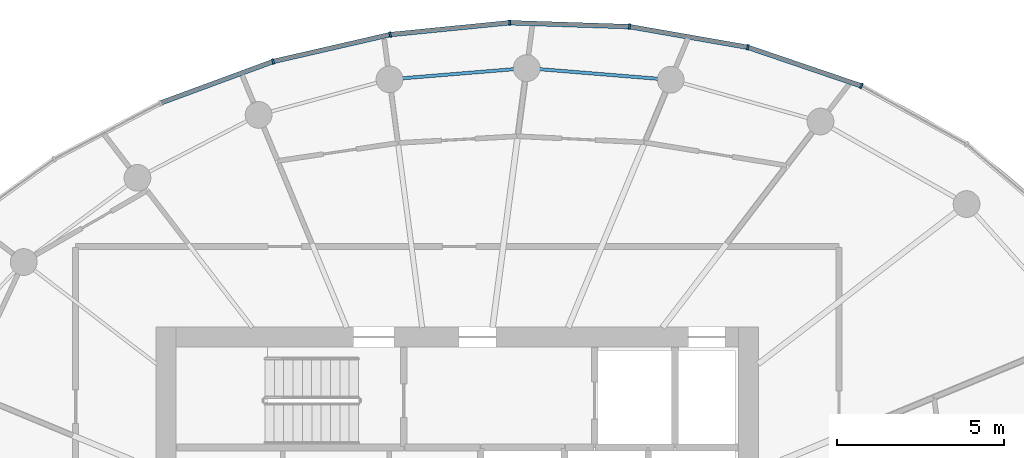
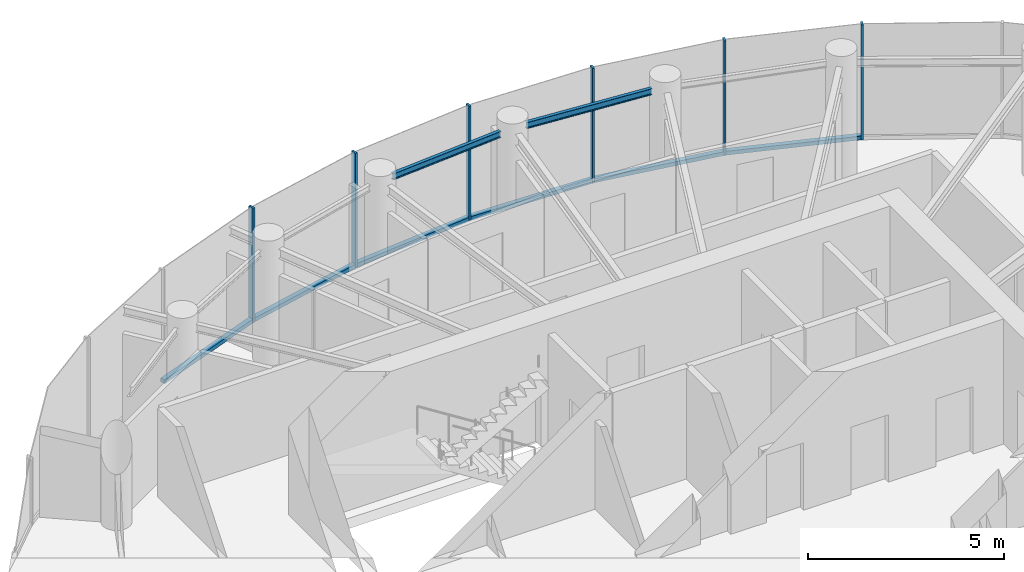
# One storey, part 6 of 13: 12 members, 2 beams, 2 elements without a shape of their own.
"""IFC4 building model written with IfcOpenShell, lengths in metres."""

from ifc_helpers import new_model, si_unit, direction, frame, origin, origin_2d, place, context, subcontext, project, spatial, rectangle, i_section, extrude, source, transform, mapped, material, layer, layer_set, material_profile, profile_set, type_object, element, aggregate, save


model = new_model("IFC4")

# Units and contexts
model_context = context("Model", 3, precision=1e-05, world=origin(), true_north=direction((0.0, 1.0)))
body_context = subcontext(model_context, "Body", "Model", "MODEL_VIEW")
ifc_project = project(units=[si_unit("LENGTHUNIT", "METRE"), si_unit("AREAUNIT", "SQUARE_METRE"), si_unit("VOLUMEUNIT", "CUBIC_METRE"), si_unit("PLANEANGLEUNIT", "RADIAN"), si_unit("MASSUNIT", "GRAM", prefix="KILO")], contexts=[model_context])

# Site, building, storey
site_placement = place(None, origin())
site = spatial("IfcSite", under=ifc_project, at=site_placement, CompositionType="ELEMENT")
building_placement = place(site_placement, origin())
building = spatial("IfcBuilding", under=site, at=building_placement, Name="Spindrift Exchange Tower", CompositionType="ELEMENT")
storey_placement = place(building_placement, frame((0.0, 0.0, 261.800048828125)))
storey = spatial("IfcBuildingStorey", under=building, at=storey_placement, Name="L64", CompositionType="ELEMENT", Elevation=261.800048828125)

# Beams
ifc_material_1 = material(Name="Steel Grade 300", Category="steel")
ifc_material_profile_1 = material_profile(ifc_material_1, i_section(OverallWidth=0.09912109375, OverallDepth=0.197998046875, WebThickness=0.00439453125, FlangeThickness=0.007080078125, FilletRadius=0.010986328125, at=origin_2d()), Name="200UB18.2")
ifc_profile_set_1 = profile_set([ifc_material_profile_1], Name="Steel Grade 300")
beam_type = type_object("IfcBeamType", Name="Edge Beam 200UB18.2 Steel Grade 300", PredefinedType="SPANDREL", material=ifc_profile_set_1)
shared_shape_1 = source(origin(), body_context, "Body", "SweptSolid", [
    extrude(i_section(OverallWidth=0.09912109375, OverallDepth=0.197998046875, WebThickness=0.00439453125, FlangeThickness=0.007080078125, FilletRadius=0.010986328125, at=origin_2d()), origin(), (0.0, 0.0, 1.0), 3.5546875),
])
beam_1_placement = place(storey_placement, frame((57.992919921875, 63.413330078125, 3.48095703125), z_axis=(-0.996727103969, 0.080839842983, 0.0), x_axis=(-0.080839842983, -0.996727103969, 0.0)))
element("IfcBeam", 1, at=beam_1_placement, inside=storey, type_object=beam_type, Name="L64 edge beam E05", PredefinedType="SPANDREL", context=body_context, shape_type="MappedRepresentation", body=[
    mapped(shared_shape_1, transform((0.0, 0.0, 0.0), scale=1.0)),
])
shared_shape_2 = source(origin(), body_context, "Body", "SweptSolid", [
    extrude(i_section(OverallWidth=0.09912109375, OverallDepth=0.197998046875, WebThickness=0.00439453125, FlangeThickness=0.007080078125, FilletRadius=0.010986328125, at=origin_2d()), origin(), (0.0, 0.0, 1.0), 3.351806640625),
])
beam_2_placement = place(storey_placement, frame((53.6923828125, 63.7001953125, 3.48095703125), z_axis=(-0.996672670999, -0.081508201334, 0.0), x_axis=(0.081508201334, -0.996672670999, 0.0)))
element("IfcBeam", 2, at=beam_2_placement, inside=storey, type_object=beam_type, Name="L64 edge beam E06", PredefinedType="SPANDREL", context=body_context, shape_type="MappedRepresentation", body=[
    mapped(shared_shape_2, transform((0.0, 0.0, 0.0), scale=1.0)),
])

# Curtain wall, member
ifc_material_2 = material(Name="Fritted laminated glass with bronze frame", Category="glass")
ifc_layer = layer(ifc_material_2, 0.159912109375)
ifc_layer_set = layer_set([ifc_layer], Name="ZONE 5 BRONZE FRITTED WALL")
curtain_wall_type = type_object("IfcCurtainWallType", Name="ZONE 5 BRONZE FRITTED WALL", PredefinedType="NOTDEFINED", material=ifc_layer_set)
curtain_wall_1_placement = place(storey_placement, origin())
curtain_wall_1 = element("IfcCurtainWall", 3, at=curtain_wall_1_placement, inside=storey, type_object=curtain_wall_type, Name="L64 Zone 5 Bronze Fritted Wall run 2", PredefinedType="NOTDEFINED")
ifc_material_3 = material(Name="Bronze anodised aluminium", Category="aluminium")
ifc_material_profile_2 = material_profile(ifc_material_3, rectangle(XDim=0.139892578125, YDim=0.1201171875, at=origin_2d()), Name="ZONE 5 BRONZE FRITTED WALL TRANSOM 140X120")
ifc_profile_set_2 = profile_set([ifc_material_profile_2], Name="Bronze anodised aluminium")
member_type_1 = type_object("IfcMemberType", Name="ZONE 5 BRONZE FRITTED WALL TRANSOM 140X120", PredefinedType="USERDEFINED", material=ifc_profile_set_2)
shared_shape_3 = source(origin(), body_context, "Body", "SweptSolid", [
    extrude(rectangle(XDim=0.139892578125, YDim=0.1201171875, at=origin_2d()), origin(), (0.0, 0.0, 1.0), 3.5263671875),
])
member_1_placement = place(storey_placement, frame((53.529541015625, 65.0849609375, 0.06005859375), z_axis=(-0.995114349621, -0.098729079702, 0.0), x_axis=(0.098729079702, -0.995114349621, 0.0)))
member_1 = element("IfcMember", 4, at=member_1_placement, type_object=member_type_1, Name="L64 transom CW-5.8", ObjectType="TRANSOM", PredefinedType="USERDEFINED", context=body_context, shape_type="MappedRepresentation", body=[
    mapped(shared_shape_3, transform((0.0, 0.0, 0.0), scale=1.0)),
])

curtain_wall_2_placement = place(storey_placement, origin())
curtain_wall_2 = element("IfcCurtainWall", 5, at=curtain_wall_2_placement, inside=storey, type_object=curtain_wall_type, Name="L64 Zone 5 Bronze Fritted Wall run 1", PredefinedType="NOTDEFINED")
shared_shape_4 = source(origin(), body_context, "Body", "SweptSolid", [
    extrude(rectangle(XDim=0.139892578125, YDim=0.1201171875, at=origin_2d()), origin(), (0.0, 0.0, 1.0), 3.524658203125),
])
member_2_placement = place(storey_placement, frame((64.040771484375, 63.20947265625, 0.06005859375), z_axis=(-0.946711931826, 0.322081539581, 0.0), x_axis=(-0.322081539581, -0.946711931826, 0.0)))
member_2 = element("IfcMember", 6, at=member_2_placement, type_object=member_type_1, Name="L64 transom CW-5.5", ObjectType="TRANSOM", PredefinedType="USERDEFINED", context=body_context, shape_type="MappedRepresentation", body=[
    mapped(shared_shape_4, transform((0.0, 0.0, 0.0), scale=1.0)),
])

# Member
shared_shape_5 = source(origin(), body_context, "Body", "SweptSolid", [
    extrude(rectangle(XDim=0.139892578125, YDim=0.1201171875, at=origin_2d()), origin(), (0.0, 0.0, 1.0), 3.526123046875),
])
member_3_placement = place(storey_placement, frame((57.113525390625, 64.972412109375, 0.06005859375), z_axis=(-0.999472602049, 0.032473339131, 0.0), x_axis=(-0.032473339131, -0.999472602049, 0.0)))
member_3 = element("IfcMember", 7, at=member_3_placement, type_object=member_type_1, Name="L64 transom CW-5.7", ObjectType="TRANSOM", PredefinedType="USERDEFINED", context=body_context, shape_type="MappedRepresentation", body=[
    mapped(shared_shape_5, transform((0.0, 0.0, 0.0), scale=1.0)),
])

member_4_placement = place(storey_placement, frame((46.46728515625, 63.91943359375, 0.06005859375), z_axis=(-0.938241414891, -0.34598128184, 0.0), x_axis=(0.34598128184, -0.938241414891, 0.0)))
member_4 = element("IfcMember", 8, at=member_4_placement, type_object=member_type_1, Name="L64 transom CW-5.10", ObjectType="TRANSOM", PredefinedType="USERDEFINED", context=body_context, shape_type="MappedRepresentation", body=[
    mapped(shared_shape_5, transform((0.0, 0.0, 0.0), scale=1.0)),
])

shared_shape_6 = source(origin(), body_context, "Body", "SweptSolid", [
    extrude(rectangle(XDim=0.139892578125, YDim=0.1201171875, at=origin_2d()), origin(), (0.0, 0.0, 1.0), 3.525634765625),
])
member_5_placement = place(storey_placement, frame((60.64599609375, 64.359619140625, 0.06005859375), z_axis=(-0.985083917921, 0.172074619432, 0.0), x_axis=(-0.172074619432, -0.985083917921, 0.0)))
member_5 = element("IfcMember", 9, at=member_5_placement, type_object=member_type_1, Name="L64 transom CW-5.6", ObjectType="TRANSOM", PredefinedType="USERDEFINED", context=body_context, shape_type="MappedRepresentation", body=[
    mapped(shared_shape_6, transform((0.0, 0.0, 0.0), scale=1.0)),
])

ifc_material_profile_3 = material_profile(ifc_material_3, rectangle(XDim=0.06005859375, YDim=0.159912109375, at=origin_2d()), Name="ZONE 5 BRONZE FRITTED WALL MULLION 60X160")
ifc_profile_set_3 = profile_set([ifc_material_profile_3], Name="Bronze anodised aluminium")
member_type_2 = type_object("IfcMemberType", Name="ZONE 5 BRONZE FRITTED WALL MULLION 60X160", PredefinedType="MULLION", material=ifc_profile_set_3)
shared_shape_7 = source(origin(), body_context, "Body", "SweptSolid", [
    extrude(rectangle(XDim=0.06005859375, YDim=0.159912109375, at=origin_2d()), origin(), (0.0, 0.0, 1.0), 3.579833984375),
])
member_6_placement = place(storey_placement, frame((64.069091796875, 63.19970703125, 0.0), z_axis=(0.0, 0.0, 1.0), x_axis=(-0.914735106209, 0.404054062557, 0.0)))
member_6 = element("IfcMember", 10, at=member_6_placement, type_object=member_type_2, Name="L64 mullion CW-5.5", PredefinedType="MULLION", context=body_context, shape_type="MappedRepresentation", body=[
    mapped(shared_shape_7, transform((0.0, 0.0, 0.0), scale=1.0)),
])

member_7_placement = place(storey_placement, frame((60.675537109375, 64.3544921875, 0.0), z_axis=(0.0, 0.0, 1.0), x_axis=(-0.968796528816, 0.247857389954, 0.0)))
member_7 = element("IfcMember", 11, at=member_7_placement, type_object=member_type_2, Name="L64 mullion CW-5.6", PredefinedType="MULLION", context=body_context, shape_type="MappedRepresentation", body=[
    mapped(shared_shape_7, transform((0.0, 0.0, 0.0), scale=1.0)),
])

aggregate(curtain_wall_2, [member_6, member_2, member_7, member_5])

member_8_placement = place(storey_placement, frame((57.143310546875, 64.971435546875, 0.0), z_axis=(0.0, 0.0, 1.0), x_axis=(-0.994727944675, 0.102549091083, 0.0)))
member_8 = element("IfcMember", 12, at=member_8_placement, type_object=member_type_2, Name="L64 mullion CW-5.7", PredefinedType="MULLION", context=body_context, shape_type="MappedRepresentation", body=[
    mapped(shared_shape_7, transform((0.0, 0.0, 0.0), scale=1.0)),
])

member_9_placement = place(storey_placement, frame((53.559326171875, 65.087890625, 0.0), z_axis=(0.0, 0.0, 1.0), x_axis=(-0.999448356203, -0.033211192123, 0.0)))
member_9 = element("IfcMember", 13, at=member_9_placement, type_object=member_type_2, Name="L64 mullion CW-5.8", PredefinedType="MULLION", context=body_context, shape_type="MappedRepresentation", body=[
    mapped(shared_shape_7, transform((0.0, 0.0, 0.0), scale=1.0)),
])

member_10_placement = place(storey_placement, frame((49.990478515625, 64.73388671875, 0.0), z_axis=(0.0, 0.0, 1.0), x_axis=(-0.986823417036, -0.161800938157, 0.0)))
member_10 = element("IfcMember", 14, at=member_10_placement, type_object=member_type_2, Name="L64 mullion CW-5.9", PredefinedType="MULLION", context=body_context, shape_type="MappedRepresentation", body=[
    mapped(shared_shape_7, transform((0.0, 0.0, 0.0), scale=1.0)),
])

member_11_placement = place(storey_placement, frame((46.49560546875, 63.9296875, 0.0), z_axis=(0.0, 0.0, 1.0), x_axis=(-0.958334677572, -0.285647765198, 0.0)))
member_11 = element("IfcMember", 15, at=member_11_placement, type_object=member_type_2, Name="L64 mullion CW-5.10", PredefinedType="MULLION", context=body_context, shape_type="MappedRepresentation", body=[
    mapped(shared_shape_7, transform((0.0, 0.0, 0.0), scale=1.0)),
])

shared_shape_8 = source(origin(), body_context, "Body", "SweptSolid", [
    extrude(rectangle(XDim=0.139892578125, YDim=0.1201171875, at=origin_2d()), origin(), (0.0, 0.0, 1.0), 3.526611328125),
])
member_12_placement = place(storey_placement, frame((49.96142578125, 64.72705078125, 0.06005859375), z_axis=(-0.974550800787, -0.224166760883, 0.0), x_axis=(0.224166760883, -0.974550800787, 0.0)))
member_12 = element("IfcMember", 16, at=member_12_placement, type_object=member_type_1, Name="L64 transom CW-5.9", ObjectType="TRANSOM", PredefinedType="USERDEFINED", context=body_context, shape_type="MappedRepresentation", body=[
    mapped(shared_shape_8, transform((0.0, 0.0, 0.0), scale=1.0)),
])

aggregate(curtain_wall_1, [member_8, member_3, member_9, member_1, member_10, member_12, member_11, member_4])

save(model, "model.ifc")
